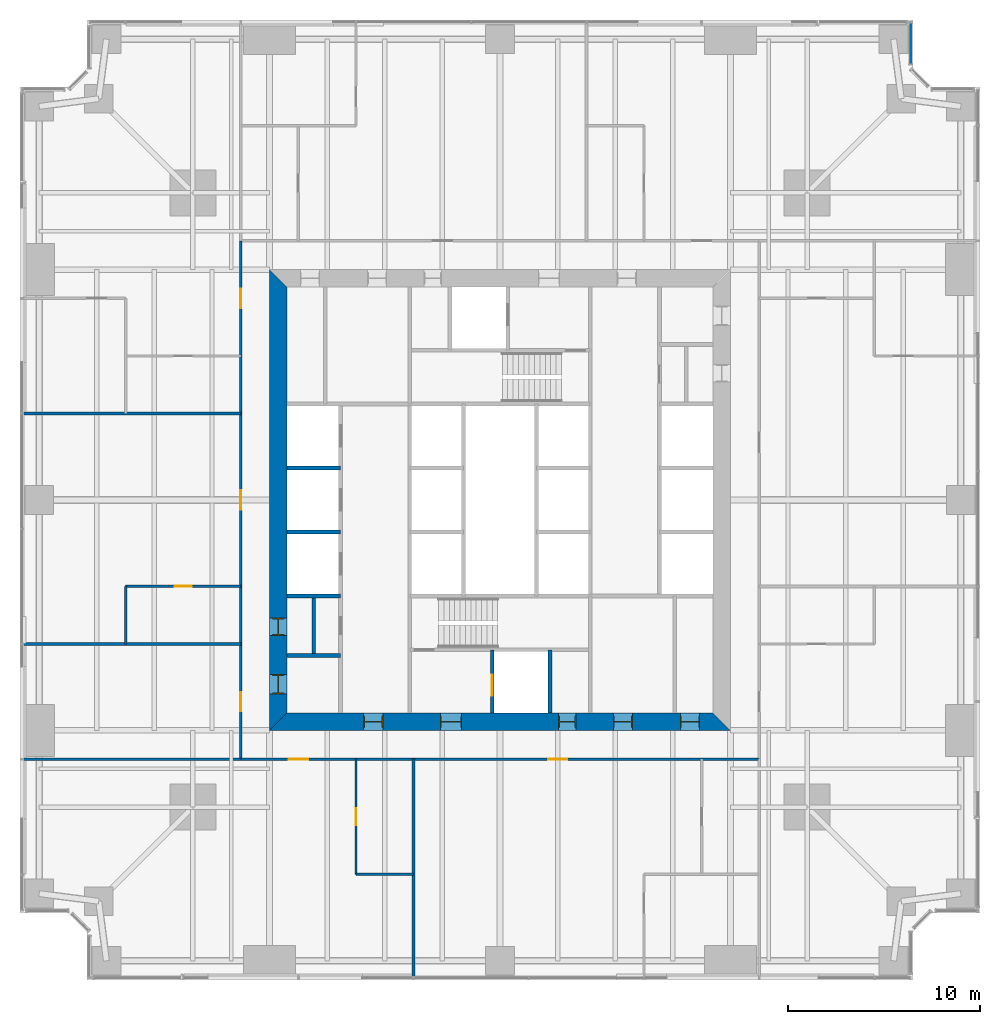
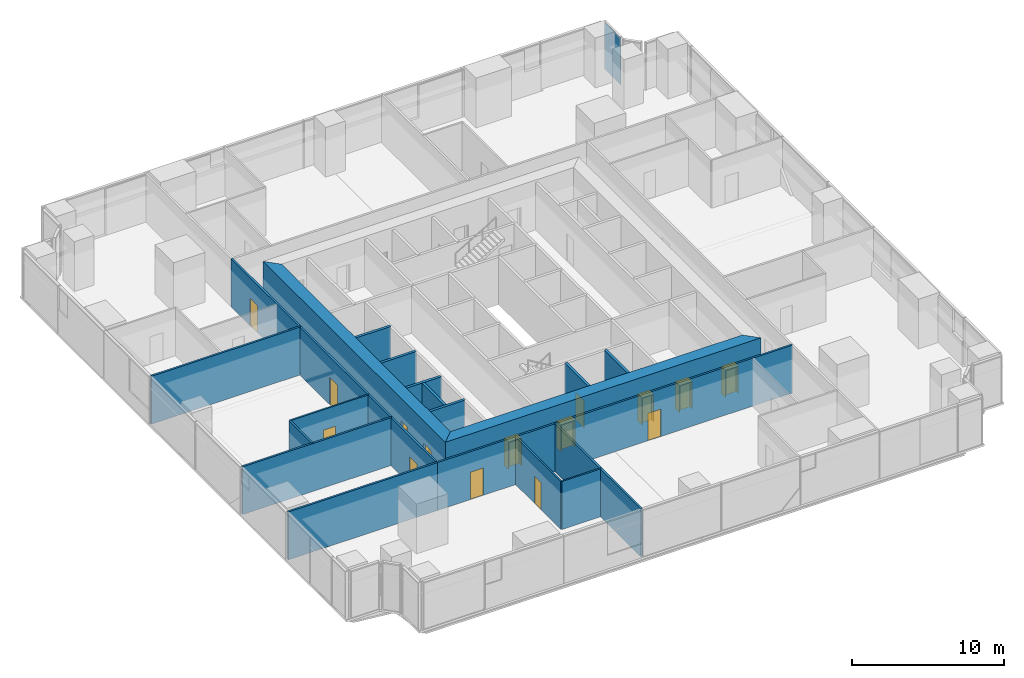
# One storey, part 9 of 15: 19 walls, 15 doors, 1 plate, 15 openings, 1 element without a shape of its own.
"""IFC4 building model written with IfcOpenShell, lengths in metres."""

from ifc_helpers import new_model, si_unit, direction, frame, frame_2d, origin, origin_2d, place, context, subcontext, project, spatial, polyline, rectangle, outline, extrude, material, layer, layer_set, type_object, element, fill, aggregate, save


model = new_model("IFC4")

# Units and contexts
model_context = context("Model", 3, precision=1e-05, world=origin(), true_north=direction((0.0, 1.0)))
body_context = subcontext(model_context, "Body", "Model", "MODEL_VIEW")
ifc_project = project(units=[si_unit("LENGTHUNIT", "METRE"), si_unit("AREAUNIT", "SQUARE_METRE"), si_unit("VOLUMEUNIT", "CUBIC_METRE"), si_unit("PLANEANGLEUNIT", "RADIAN"), si_unit("MASSUNIT", "GRAM", prefix="KILO")], contexts=[model_context])

# Site, building, storey
site_placement = place(None, origin())
site = spatial("IfcSite", under=ifc_project, at=site_placement, CompositionType="ELEMENT")
building_placement = place(site_placement, origin())
building = spatial("IfcBuilding", under=site, at=building_placement, Name="Fenwick Lantern Interchange", CompositionType="ELEMENT")
storey_placement = place(building_placement, frame((0.0, 0.0, 51.0)))
storey = spatial("IfcBuildingStorey", under=building, at=storey_placement, Name="L11", CompositionType="ELEMENT", Elevation=51.0)

# Curtain wall, plate
ifc_material_1 = material(Name="Aluminium curtain wall frame", Category="aluminium")
curtain_wall_type = type_object("IfcCurtainWallType", Name="OFFICE CURTAIN WALL", PredefinedType="USERDEFINED", material=ifc_material_1)
curtain_wall_placement = place(storey_placement, origin())
curtain_wall = element("IfcCurtainWall", 1, at=curtain_wall_placement, inside=storey, type_object=curtain_wall_type, Name="Office curtain wall 08", ObjectType="OFFICE CURTAIN WALL", PredefinedType="USERDEFINED")
ifc_material_2 = material(Name="Vision glass, clear low-iron double glazed", Category="glass")
ifc_layer_1 = layer(ifc_material_2, 0.031982421875)
ifc_layer_set_1 = layer_set([ifc_layer_1], Name="OFFICE CURTAIN WALL PANEL 32")
plate_type = type_object("IfcPlateType", Name="OFFICE CURTAIN WALL PANEL 32", PredefinedType="CURTAIN_PANEL", material=ifc_layer_set_1)
plate_placement = place(storey_placement, frame((46.39990234375, 48.779296875, 0.0), z_axis=(0.0, 0.0, 1.0), x_axis=(0.0, 1.0, 0.0)))
plate = element("IfcPlate", 2, at=plate_placement, type_object=plate_type, Name="L11/CW/08/P00", PredefinedType="CURTAIN_PANEL", context=body_context, shape_type="SweptSolid", body=[
    extrude(rectangle(XDim=2.111328125, YDim=0.031982421875, at=origin_2d()), origin(), (0.0, 0.0, 1.0), 3.75),
])
aggregate(curtain_wall, [plate])

# Walls
ifc_material_3 = material(Name="Concrete masonry ASTM C90 Grade N", Category="masonry")
ifc_layer_2 = layer(ifc_material_3, 0.199951171875)
ifc_layer_set_2 = layer_set([ifc_layer_2], Name="Concrete masonry ASTM C90 Grade N")
wall_type_1 = type_object("IfcWallType", Name="CORE PARTITION 200", PredefinedType="PARTITIONING", material=ifc_layer_set_2)
for number, where, z_axis, x_axis, name in (
    (3, (13.89990234375, 20.0, 0.0), (0.0, 0.0, 1.0), (1.0, 0.0, 0.0), "L11/W/CORES/c2"),
    (4, (13.89990234375, 23.333251953125, 0.0), (0.0, 0.0, 1.0), (1.0, 0.0, 0.0), "L11/W/CORES/d1"),
    (5, (13.89990234375, 26.666748046875, 0.0), (0.0, 0.0, 1.0), (1.0, 0.0, 0.0), "L11/W/CORES/d2"),
):
    element("IfcWall", number, at=place(storey_placement, frame(where, z_axis=z_axis, x_axis=x_axis)), inside=storey, type_object=wall_type_1, Name=name, PredefinedType="PARTITIONING", context=body_context, shape_type="SweptSolid", body=[
        extrude(rectangle(XDim=2.800048828125, YDim=0.199951171875, at=frame_2d((1.39990234375, 0.0))), origin(), (0.0, 0.0, 1.0), 3.800048828125),
    ])

# Wall, opening, door
wall_1_placement = place(storey_placement, frame((24.60009765625, 13.89990234375, 0.0), z_axis=(0.0, 0.0, 1.0), x_axis=(0.0, 1.0, 0.0)))
wall_1 = element("IfcWall", 6, at=wall_1_placement, inside=storey, type_object=wall_type_1, Name="L11/W/CORES/h1", PredefinedType="PARTITIONING", context=body_context, shape_type="SweptSolid", body=[
    extrude(rectangle(XDim=3.300048828125, YDim=0.199951171875, at=frame_2d((1.64990234375, 0.0))), origin(), (0.0, 0.0, 1.0), 3.800048828125),
])
opening_1_placement = place(wall_1_placement, frame((0.89990234375, 0.0, 0.0)))
opening_1 = element("IfcOpeningElement", 7, at=opening_1_placement, cuts=wall_1, Name="Opening LD-FL1", PredefinedType="OPENING", context=body_context, shape_type="SweptSolid", body=[
    extrude(rectangle(XDim=1.10009765625, YDim=2.199951171875, at=frame_2d((0.550048828125, 1.10009765625))), frame((0.0, 0.10986328125, 0.0), z_axis=(0.0, -1.0, 0.0), x_axis=(1.0, 0.0, 0.0)), (0.0, 0.0, 1.0), 0.219970703125),
])
ifc_material_4 = material(Name="Steel door and frame", Category="steel")
door_type_1 = type_object("IfcDoorType", Name="LIFT LANDING DOOR 1100 X 2200", OperationType="DOUBLE_DOOR_SLIDING", PredefinedType="DOOR", material=ifc_material_4)
door_1_placement = place(opening_1_placement, origin())
door_1 = element("IfcDoor", 8, at=door_1_placement, inside=storey, type_object=door_type_1, Name="Lift landing door FL1", OperationType="DOUBLE_DOOR_SLIDING", OverallHeight=2.199951171875, OverallWidth=1.10009765625, PredefinedType="DOOR", context=body_context, shape_type="SweptSolid", body=[
    extrude(rectangle(XDim=1.10009765625, YDim=2.199951171875, at=frame_2d((0.550048828125, 1.10009765625))), frame((0.0, 0.02490234375, 0.0), z_axis=(0.0, -1.0, 0.0), x_axis=(1.0, 0.0, 0.0)), (0.0, 0.0, 1.0), 0.050048828125),
])
fill(opening_1, door_1)

# Walls
wall_2_placement = place(storey_placement, frame((27.60009765625, 13.89990234375, 0.0), z_axis=(0.0, 0.0, 1.0), x_axis=(0.0, 1.0, 0.0)))
element("IfcWall", 9, at=wall_2_placement, inside=storey, type_object=wall_type_1, Name="L11/W/CORES/h2", PredefinedType="PARTITIONING", context=body_context, shape_type="SweptSolid", body=[
    extrude(rectangle(XDim=3.300048828125, YDim=0.199951171875, at=frame_2d((1.64990234375, 0.0))), origin(), (0.0, 0.0, 1.0), 3.800048828125),
])
wall_3_placement = place(storey_placement, frame((13.89990234375, 16.89990234375, 0.0), z_axis=(0.0, 0.0, 1.0), x_axis=(1.0, 0.0, 0.0)))
element("IfcWall", 10, at=wall_3_placement, inside=storey, type_object=wall_type_1, Name="L11/W/CORES/p1", PredefinedType="PARTITIONING", context=body_context, shape_type="SweptSolid", body=[
    extrude(rectangle(XDim=2.800048828125, YDim=0.199951171875, at=frame_2d((1.39990234375, 0.0))), origin(), (0.0, 0.0, 1.0), 3.800048828125),
])
wall_4_placement = place(storey_placement, frame((15.300048828125, 16.89990234375, 0.0), z_axis=(0.0, 0.0, 1.0), x_axis=(0.0, 1.0, 0.0)))
element("IfcWall", 11, at=wall_4_placement, inside=storey, type_object=wall_type_1, Name="L11/W/CORES/px", PredefinedType="PARTITIONING", context=body_context, shape_type="SweptSolid", body=[
    extrude(rectangle(XDim=3.10009765625, YDim=0.199951171875, at=frame_2d((1.550048828125, 0.0))), origin(), (0.0, 0.0, 1.0), 3.800048828125),
])

# Wall, openings, doors
ifc_material_5 = material(Name="Concrete f'c 70 MPa", Category="concrete")
ifc_layer_3 = layer(ifc_material_5, 0.89990234375)
ifc_layer_set_3 = layer_set([ifc_layer_3], Name="CORE WALL 900")
wall_type_2 = type_object("IfcWallType", Name="CORE WALL 900", PredefinedType="SHEAR", material=ifc_layer_set_3)
wall_5_placement = place(storey_placement, frame((13.0, 13.449951171875, 0.0), z_axis=(0.0, 0.0, 1.0), x_axis=(1.0, 0.0, 0.0)))
wall_5 = element("IfcWall", 12, at=wall_5_placement, inside=storey, type_object=wall_type_2, Name="L11/CORE/S", PredefinedType="SHEAR", context=body_context, shape_type="SweptSolid", body=[
    extrude(outline(polyline([(0.0, -0.449951171875), (24.0, -0.449951171875), (23.10009765625, 0.449951171875), (0.89990234375, 0.449951171875), (0.0, -0.449951171875)])), origin(), (0.0, 0.0, 1.0), 4.0),
])
opening_2_placement = place(wall_5_placement, frame((4.89990234375, 0.0, 0.0)))
opening_2 = element("IfcOpeningElement", 13, at=opening_2_placement, cuts=wall_5, Name="Opening L11-D001", PredefinedType="OPENING", context=body_context, shape_type="SweptSolid", body=[
    extrude(rectangle(XDim=1.0, YDim=2.199951171875, at=frame_2d((0.5, 1.10009765625))), frame((0.0, 0.4599609375, 0.0), z_axis=(0.0, -1.0, 0.0), x_axis=(1.0, 0.0, 0.0)), (0.0, 0.0, 1.0), 0.919921875),
])
opening_3_placement = place(wall_5_placement, frame((8.89990234375, 0.0, 0.0)))
opening_3 = element("IfcOpeningElement", 14, at=opening_3_placement, cuts=wall_5, Name="Opening L11-D002", PredefinedType="OPENING", context=body_context, shape_type="SweptSolid", body=[
    extrude(rectangle(XDim=1.10009765625, YDim=2.199951171875, at=frame_2d((0.550048828125, 1.10009765625))), frame((0.0, 0.4599609375, 0.0), z_axis=(0.0, -1.0, 0.0), x_axis=(1.0, 0.0, 0.0)), (0.0, 0.0, 1.0), 0.919921875),
])
opening_4_placement = place(wall_5_placement, frame((15.050048828125, 0.0, 0.0)))
opening_4 = element("IfcOpeningElement", 15, at=opening_4_placement, cuts=wall_5, Name="Opening L11-D004", PredefinedType="OPENING", context=body_context, shape_type="SweptSolid", body=[
    extrude(rectangle(XDim=0.89990234375, YDim=2.199951171875, at=frame_2d((0.449951171875, 1.10009765625))), frame((0.0, 0.4599609375, 0.0), z_axis=(0.0, -1.0, 0.0), x_axis=(1.0, 0.0, 0.0)), (0.0, 0.0, 1.0), 0.919921875),
])
opening_5_placement = place(wall_5_placement, frame((17.89990234375, 0.0, 0.0)))
opening_5 = element("IfcOpeningElement", 16, at=opening_5_placement, cuts=wall_5, Name="Opening L11-D005", PredefinedType="OPENING", context=body_context, shape_type="SweptSolid", body=[
    extrude(rectangle(XDim=1.0, YDim=2.199951171875, at=frame_2d((0.5, 1.10009765625))), frame((0.0, 0.4599609375, 0.0), z_axis=(0.0, -1.0, 0.0), x_axis=(1.0, 0.0, 0.0)), (0.0, 0.0, 1.0), 0.919921875),
])
opening_6_placement = place(wall_5_placement, frame((21.39990234375, 0.0, 0.0)))
opening_6 = element("IfcOpeningElement", 17, at=opening_6_placement, cuts=wall_5, Name="Opening L11-D006", PredefinedType="OPENING", context=body_context, shape_type="SweptSolid", body=[
    extrude(rectangle(XDim=1.0, YDim=2.199951171875, at=frame_2d((0.5, 1.10009765625))), frame((0.0, 0.4599609375, 0.0), z_axis=(0.0, -1.0, 0.0), x_axis=(1.0, 0.0, 0.0)), (0.0, 0.0, 1.0), 0.919921875),
])
door_type_2 = type_object("IfcDoorType", Name="CORE LOBBY DOOR 1000 X 2200", OperationType="SINGLE_SWING_LEFT", PredefinedType="DOOR", material=ifc_material_4)
door_2_placement = place(opening_2_placement, origin())
door_2 = element("IfcDoor", 18, at=door_2_placement, inside=storey, type_object=door_type_2, Name="Core lobby door", OperationType="SINGLE_SWING_LEFT", OverallHeight=2.199951171875, OverallWidth=1.0, PredefinedType="DOOR", context=body_context, shape_type="SweptSolid", body=[
    extrude(rectangle(XDim=1.0, YDim=2.199951171875, at=frame_2d((0.5, 1.10009765625))), frame((0.0, 0.02490234375, 0.0), z_axis=(0.0, -1.0, 0.0), x_axis=(1.0, 0.0, 0.0)), (0.0, 0.0, 1.0), 0.050048828125),
    extrude(outline(polyline([(0.0, 0.0), (0.0400390625, 0.0), (0.0400390625, 2.159912109375), (0.9599609375, 2.159912109375), (0.9599609375, 0.0), (1.0, 0.0), (1.0, 2.199951171875), (0.0, 2.199951171875), (0.0, 0.0)])), frame((0.0, 0.300048828125, 0.0), z_axis=(0.0, -1.0, 0.0), x_axis=(1.0, 0.0, 0.0)), (0.0, 0.0, 1.0), 0.60009765625),
])
fill(opening_2, door_2)
door_type_3 = type_object("IfcDoorType", Name="FIRE LOBBY DOOR 1100 X 2200", OperationType="SINGLE_SWING_LEFT", PredefinedType="DOOR", material=ifc_material_4)
door_3_placement = place(opening_3_placement, origin())
door_3 = element("IfcDoor", 19, at=door_3_placement, inside=storey, type_object=door_type_3, Name="Fire lobby door", OperationType="SINGLE_SWING_LEFT", OverallHeight=2.199951171875, OverallWidth=1.10009765625, PredefinedType="DOOR", context=body_context, shape_type="SweptSolid", body=[
    extrude(rectangle(XDim=1.10009765625, YDim=2.199951171875, at=frame_2d((0.550048828125, 1.10009765625))), frame((0.0, 0.02490234375, 0.0), z_axis=(0.0, -1.0, 0.0), x_axis=(1.0, 0.0, 0.0)), (0.0, 0.0, 1.0), 0.050048828125),
    extrude(outline(polyline([(0.0, 0.0), (0.0400390625, 0.0), (0.0400390625, 2.159912109375), (1.06005859375, 2.159912109375), (1.06005859375, 0.0), (1.10009765625, 0.0), (1.10009765625, 2.199951171875), (0.0, 2.199951171875), (0.0, 0.0)])), frame((0.0, 0.300048828125, 0.0), z_axis=(0.0, -1.0, 0.0), x_axis=(1.0, 0.0, 0.0)), (0.0, 0.0, 1.0), 0.60009765625),
])
fill(opening_3, door_3)
door_type_4 = type_object("IfcDoorType", Name="SERVICE DOOR 900 X 2200", OperationType="SINGLE_SWING_LEFT", PredefinedType="DOOR", material=ifc_material_4)
door_4_placement = place(opening_4_placement, origin())
door_4 = element("IfcDoor", 20, at=door_4_placement, inside=storey, type_object=door_type_4, Name="Service door", OperationType="SINGLE_SWING_LEFT", OverallHeight=2.199951171875, OverallWidth=0.89990234375, PredefinedType="DOOR", context=body_context, shape_type="SweptSolid", body=[
    extrude(rectangle(XDim=0.89990234375, YDim=2.199951171875, at=frame_2d((0.449951171875, 1.10009765625))), frame((0.0, 0.02490234375, 0.0), z_axis=(0.0, -1.0, 0.0), x_axis=(1.0, 0.0, 0.0)), (0.0, 0.0, 1.0), 0.050048828125),
    extrude(outline(polyline([(0.0, 0.0), (0.0400390625, 0.0), (0.0400390625, 2.159912109375), (0.85986328125, 2.159912109375), (0.85986328125, 0.0), (0.89990234375, 0.0), (0.89990234375, 2.199951171875), (0.0, 2.199951171875), (0.0, 0.0)])), frame((0.0, 0.300048828125, 0.0), z_axis=(0.0, -1.0, 0.0), x_axis=(1.0, 0.0, 0.0)), (0.0, 0.0, 1.0), 0.60009765625),
])
fill(opening_4, door_4)
ifc_material_6 = material(Name="Hardwood door and steel frame", Category="steel")
door_type_5 = type_object("IfcDoorType", Name="WC DOOR 1000 X 2200", OperationType="SINGLE_SWING_LEFT", PredefinedType="DOOR", material=ifc_material_6)
door_5_placement = place(opening_5_placement, origin())
door_5 = element("IfcDoor", 21, at=door_5_placement, inside=storey, type_object=door_type_5, Name="Wc door", OperationType="SINGLE_SWING_LEFT", OverallHeight=2.199951171875, OverallWidth=1.0, PredefinedType="DOOR", context=body_context, shape_type="SweptSolid", body=[
    extrude(rectangle(XDim=1.0, YDim=2.199951171875, at=frame_2d((0.5, 1.10009765625))), frame((0.0, 0.02490234375, 0.0), z_axis=(0.0, -1.0, 0.0), x_axis=(1.0, 0.0, 0.0)), (0.0, 0.0, 1.0), 0.050048828125),
    extrude(outline(polyline([(0.0, 0.0), (0.0400390625, 0.0), (0.0400390625, 2.159912109375), (0.9599609375, 2.159912109375), (0.9599609375, 0.0), (1.0, 0.0), (1.0, 2.199951171875), (0.0, 2.199951171875), (0.0, 0.0)])), frame((0.0, 0.300048828125, 0.0), z_axis=(0.0, -1.0, 0.0), x_axis=(1.0, 0.0, 0.0)), (0.0, 0.0, 1.0), 0.60009765625),
])
fill(opening_5, door_5)
door_6_placement = place(opening_6_placement, origin())
door_6 = element("IfcDoor", 22, at=door_6_placement, inside=storey, type_object=door_type_5, Name="Wc door", OperationType="SINGLE_SWING_LEFT", OverallHeight=2.199951171875, OverallWidth=1.0, PredefinedType="DOOR", context=body_context, shape_type="SweptSolid", body=[
    extrude(rectangle(XDim=1.0, YDim=2.199951171875, at=frame_2d((0.5, 1.10009765625))), frame((0.0, 0.02490234375, 0.0), z_axis=(0.0, -1.0, 0.0), x_axis=(1.0, 0.0, 0.0)), (0.0, 0.0, 1.0), 0.050048828125),
    extrude(outline(polyline([(0.0, 0.0), (0.0400390625, 0.0), (0.0400390625, 2.159912109375), (0.9599609375, 2.159912109375), (0.9599609375, 0.0), (1.0, 0.0), (1.0, 2.199951171875), (0.0, 2.199951171875), (0.0, 0.0)])), frame((0.0, 0.300048828125, 0.0), z_axis=(0.0, -1.0, 0.0), x_axis=(1.0, 0.0, 0.0)), (0.0, 0.0, 1.0), 0.60009765625),
])
fill(opening_6, door_6)

wall_6_placement = place(storey_placement, frame((13.449951171875, 36.10009765625, 0.0), z_axis=(0.0, 0.0, 1.0), x_axis=(0.0, -1.0, 0.0)))
wall_6 = element("IfcWall", 23, at=wall_6_placement, inside=storey, type_object=wall_type_2, Name="L11/CORE/W", PredefinedType="SHEAR", context=body_context, shape_type="SweptSolid", body=[
    extrude(outline(polyline([(-0.89990234375, -0.449951171875), (23.10009765625, -0.449951171875), (22.199951171875, 0.449951171875), (0.0, 0.449951171875), (-0.89990234375, -0.449951171875)])), origin(), (0.0, 0.0, 1.0), 4.0),
])
opening_7_placement = place(wall_6_placement, frame((20.199951171875, 0.0, 0.0)))
opening_7 = element("IfcOpeningElement", 24, at=opening_7_placement, cuts=wall_6, Name="Opening L11-D007", PredefinedType="OPENING", context=body_context, shape_type="SweptSolid", body=[
    extrude(rectangle(XDim=1.0, YDim=2.199951171875, at=frame_2d((0.5, 1.10009765625))), frame((0.0, 0.4599609375, 0.0), z_axis=(0.0, -1.0, 0.0), x_axis=(1.0, 0.0, 0.0)), (0.0, 0.0, 1.0), 0.919921875),
])
opening_8_placement = place(wall_6_placement, frame((17.25, 0.0, 0.0)))
opening_8 = element("IfcOpeningElement", 25, at=opening_8_placement, cuts=wall_6, Name="Opening L11-D009", PredefinedType="OPENING", context=body_context, shape_type="SweptSolid", body=[
    extrude(rectangle(XDim=0.89990234375, YDim=2.199951171875, at=frame_2d((0.449951171875, 1.10009765625))), frame((0.0, 0.4599609375, 0.0), z_axis=(0.0, -1.0, 0.0), x_axis=(1.0, 0.0, 0.0)), (0.0, 0.0, 1.0), 0.919921875),
])
door_7_placement = place(opening_8_placement, origin())
door_7 = element("IfcDoor", 26, at=door_7_placement, inside=storey, type_object=door_type_4, Name="Service door", OperationType="SINGLE_SWING_RIGHT", OverallHeight=2.199951171875, OverallWidth=0.89990234375, PredefinedType="DOOR", context=body_context, shape_type="SweptSolid", body=[
    extrude(rectangle(XDim=0.89990234375, YDim=2.199951171875, at=frame_2d((0.449951171875, 1.10009765625))), frame((0.0, 0.02490234375, 0.0), z_axis=(0.0, -1.0, 0.0), x_axis=(1.0, 0.0, 0.0)), (0.0, 0.0, 1.0), 0.050048828125),
    extrude(outline(polyline([(0.0, 0.0), (0.0400390625, 0.0), (0.0400390625, 2.159912109375), (0.85986328125, 2.159912109375), (0.85986328125, 0.0), (0.89990234375, 0.0), (0.89990234375, 2.199951171875), (0.0, 2.199951171875), (0.0, 0.0)])), frame((0.0, 0.300048828125, 0.0), z_axis=(0.0, -1.0, 0.0), x_axis=(1.0, 0.0, 0.0)), (0.0, 0.0, 1.0), 0.60009765625),
])
fill(opening_8, door_7)
door_8_placement = place(opening_7_placement, origin())
door_8 = element("IfcDoor", 27, at=door_8_placement, inside=storey, type_object=door_type_5, Name="Wc door", OperationType="SINGLE_SWING_LEFT", OverallHeight=2.199951171875, OverallWidth=1.0, PredefinedType="DOOR", context=body_context, shape_type="SweptSolid", body=[
    extrude(rectangle(XDim=1.0, YDim=2.199951171875, at=frame_2d((0.5, 1.10009765625))), frame((0.0, 0.02490234375, 0.0), z_axis=(0.0, -1.0, 0.0), x_axis=(1.0, 0.0, 0.0)), (0.0, 0.0, 1.0), 0.050048828125),
    extrude(outline(polyline([(0.0, 0.0), (0.0400390625, 0.0), (0.0400390625, 2.159912109375), (0.9599609375, 2.159912109375), (0.9599609375, 0.0), (1.0, 0.0), (1.0, 2.199951171875), (0.0, 2.199951171875), (0.0, 0.0)])), frame((0.0, 0.300048828125, 0.0), z_axis=(0.0, -1.0, 0.0), x_axis=(1.0, 0.0, 0.0)), (0.0, 0.0, 1.0), 0.60009765625),
])
fill(opening_7, door_8)

ifc_material_7 = material(Name="Gypsum board on steel studs, 1 hour", Category="steel")
ifc_layer_4 = layer(ifc_material_7, 0.14990234375)
ifc_layer_set_4 = layer_set([ifc_layer_4], Name="CORRIDOR WALL 150")
wall_type_3 = type_object("IfcWallType", Name="CORRIDOR WALL 150", PredefinedType="PARTITIONING", material=ifc_layer_set_4)
wall_7_placement = place(storey_placement, frame((11.5, 11.5, 0.0), z_axis=(0.0, 0.0, 1.0), x_axis=(1.0, 0.0, 0.0)))
wall_7 = element("IfcWall", 28, at=wall_7_placement, inside=storey, type_object=wall_type_3, Name="L11/W/OFF/S/CW", PredefinedType="PARTITIONING", context=body_context, shape_type="SweptSolid", body=[
    extrude(rectangle(XDim=27.0, YDim=0.14990234375, at=frame_2d((13.5, 0.0))), origin(), (0.0, 0.0, 1.0), 3.85009765625),
])
opening_9_placement = place(wall_7_placement, frame((2.5, 0.0, 0.0)))
opening_9 = element("IfcOpeningElement", 29, at=opening_9_placement, cuts=wall_7, Name="Opening L11-D019", PredefinedType="OPENING", context=body_context, shape_type="SweptSolid", body=[
    extrude(rectangle(XDim=1.0, YDim=2.199951171875, at=frame_2d((0.5, 1.10009765625))), frame((0.0, 0.0849609375, 0.0), z_axis=(0.0, -1.0, 0.0), x_axis=(1.0, 0.0, 0.0)), (0.0, 0.0, 1.0), 0.169921875),
])
opening_10_placement = place(wall_7_placement, frame((16.0, 0.0, 0.0)))
opening_10 = element("IfcOpeningElement", 30, at=opening_10_placement, cuts=wall_7, Name="Opening L11-D021", PredefinedType="OPENING", context=body_context, shape_type="SweptSolid", body=[
    extrude(rectangle(XDim=1.0, YDim=2.199951171875, at=frame_2d((0.5, 1.10009765625))), frame((0.0, 0.0849609375, 0.0), z_axis=(0.0, -1.0, 0.0), x_axis=(1.0, 0.0, 0.0)), (0.0, 0.0, 1.0), 0.169921875),
])
door_type_6 = type_object("IfcDoorType", Name="SUITE ENTRANCE DOOR 1000 X 2200", OperationType="SINGLE_SWING_LEFT", PredefinedType="DOOR", material=ifc_material_4)
door_9_placement = place(opening_9_placement, frame((1.0, 0.0, 0.0), z_axis=(0.0, 0.0, 1.0), x_axis=(-1.0, 0.0, 0.0)))
door_9 = element("IfcDoor", 31, at=door_9_placement, inside=storey, type_object=door_type_6, Name="Suite entrance door", OperationType="SINGLE_SWING_LEFT", OverallHeight=2.199951171875, OverallWidth=1.0, PredefinedType="DOOR", context=body_context, shape_type="SweptSolid", body=[
    extrude(rectangle(XDim=1.0, YDim=2.199951171875, at=frame_2d((0.5, 1.10009765625))), frame((0.0, 0.02490234375, 0.0), z_axis=(0.0, -1.0, 0.0), x_axis=(1.0, 0.0, 0.0)), (0.0, 0.0, 1.0), 0.050048828125),
])
fill(opening_9, door_9)
door_10_placement = place(opening_10_placement, frame((1.0, 0.0, 0.0), z_axis=(0.0, 0.0, 1.0), x_axis=(-1.0, 0.0, 0.0)))
door_10 = element("IfcDoor", 32, at=door_10_placement, inside=storey, type_object=door_type_6, Name="Suite entrance door", OperationType="SINGLE_SWING_RIGHT", OverallHeight=2.199951171875, OverallWidth=1.0, PredefinedType="DOOR", context=body_context, shape_type="SweptSolid", body=[
    extrude(rectangle(XDim=1.0, YDim=2.199951171875, at=frame_2d((0.5, 1.10009765625))), frame((0.0, 0.02490234375, 0.0), z_axis=(0.0, -1.0, 0.0), x_axis=(1.0, 0.0, 0.0)), (0.0, 0.0, 1.0), 0.050048828125),
])
fill(opening_10, door_10)

wall_8_placement = place(storey_placement, frame((11.5, 38.5, 0.0), z_axis=(0.0, 0.0, 1.0), x_axis=(0.0, -1.0, 0.0)))
wall_8 = element("IfcWall", 33, at=wall_8_placement, inside=storey, type_object=wall_type_3, Name="L11/W/OFF/W/CW", PredefinedType="PARTITIONING", context=body_context, shape_type="SweptSolid", body=[
    extrude(rectangle(XDim=27.0, YDim=0.14990234375, at=frame_2d((13.5, 0.0))), origin(), (0.0, 0.0, 1.0), 3.85009765625),
])
opening_11_placement = place(wall_8_placement, frame((2.5, 0.0, 0.0)))
opening_11 = element("IfcOpeningElement", 34, at=opening_11_placement, cuts=wall_8, Name="Opening L11-D034", PredefinedType="OPENING", context=body_context, shape_type="SweptSolid", body=[
    extrude(rectangle(XDim=1.0, YDim=2.199951171875, at=frame_2d((0.5, 1.10009765625))), frame((0.0, 0.0849609375, 0.0), z_axis=(0.0, -1.0, 0.0), x_axis=(1.0, 0.0, 0.0)), (0.0, 0.0, 1.0), 0.169921875),
])
opening_12_placement = place(wall_8_placement, frame((13.0, 0.0, 0.0)))
opening_12 = element("IfcOpeningElement", 35, at=opening_12_placement, cuts=wall_8, Name="Opening L11-D037", PredefinedType="OPENING", context=body_context, shape_type="SweptSolid", body=[
    extrude(rectangle(XDim=1.0, YDim=2.199951171875, at=frame_2d((0.5, 1.10009765625))), frame((0.0, 0.0849609375, 0.0), z_axis=(0.0, -1.0, 0.0), x_axis=(1.0, 0.0, 0.0)), (0.0, 0.0, 1.0), 0.169921875),
])
opening_13_placement = place(wall_8_placement, frame((23.5, 0.0, 0.0)))
opening_13 = element("IfcOpeningElement", 36, at=opening_13_placement, cuts=wall_8, Name="Opening L11-D039", PredefinedType="OPENING", context=body_context, shape_type="SweptSolid", body=[
    extrude(rectangle(XDim=1.0, YDim=2.199951171875, at=frame_2d((0.5, 1.10009765625))), frame((0.0, 0.0849609375, 0.0), z_axis=(0.0, -1.0, 0.0), x_axis=(1.0, 0.0, 0.0)), (0.0, 0.0, 1.0), 0.169921875),
])
door_11_placement = place(opening_11_placement, frame((1.0, 0.0, 0.0), z_axis=(0.0, 0.0, 1.0), x_axis=(-1.0, 0.0, 0.0)))
door_11 = element("IfcDoor", 37, at=door_11_placement, inside=storey, type_object=door_type_6, Name="Suite entrance door", OperationType="SINGLE_SWING_LEFT", OverallHeight=2.199951171875, OverallWidth=1.0, PredefinedType="DOOR", context=body_context, shape_type="SweptSolid", body=[
    extrude(rectangle(XDim=1.0, YDim=2.199951171875, at=frame_2d((0.5, 1.10009765625))), frame((0.0, 0.02490234375, 0.0), z_axis=(0.0, -1.0, 0.0), x_axis=(1.0, 0.0, 0.0)), (0.0, 0.0, 1.0), 0.050048828125),
])
fill(opening_11, door_11)
door_12_placement = place(opening_12_placement, frame((1.0, 0.0, 0.0), z_axis=(0.0, 0.0, 1.0), x_axis=(-1.0, 0.0, 0.0)))
door_12 = element("IfcDoor", 38, at=door_12_placement, inside=storey, type_object=door_type_6, Name="Suite entrance door", OperationType="SINGLE_SWING_RIGHT", OverallHeight=2.199951171875, OverallWidth=1.0, PredefinedType="DOOR", context=body_context, shape_type="SweptSolid", body=[
    extrude(rectangle(XDim=1.0, YDim=2.199951171875, at=frame_2d((0.5, 1.10009765625))), frame((0.0, 0.02490234375, 0.0), z_axis=(0.0, -1.0, 0.0), x_axis=(1.0, 0.0, 0.0)), (0.0, 0.0, 1.0), 0.050048828125),
])
fill(opening_12, door_12)
door_13_placement = place(opening_13_placement, frame((1.0, 0.0, 0.0), z_axis=(0.0, 0.0, 1.0), x_axis=(-1.0, 0.0, 0.0)))
door_13 = element("IfcDoor", 39, at=door_13_placement, inside=storey, type_object=door_type_6, Name="Suite entrance door", OperationType="SINGLE_SWING_RIGHT", OverallHeight=2.199951171875, OverallWidth=1.0, PredefinedType="DOOR", context=body_context, shape_type="SweptSolid", body=[
    extrude(rectangle(XDim=1.0, YDim=2.199951171875, at=frame_2d((0.5, 1.10009765625))), frame((0.0, 0.02490234375, 0.0), z_axis=(0.0, -1.0, 0.0), x_axis=(1.0, 0.0, 0.0)), (0.0, 0.0, 1.0), 0.050048828125),
])
fill(opening_13, door_13)

# Wall, opening, door
ifc_material_8 = material(Name="Gypsum board on steel studs, acoustic", Category="steel")
ifc_layer_5 = layer(ifc_material_8, 0.125)
ifc_layer_set_5 = layer_set([ifc_layer_5], Name="OFFICE PARTITION 125")
wall_type_4 = type_object("IfcWallType", Name="OFFICE PARTITION 125", PredefinedType="PARTITIONING", material=ifc_layer_set_5)
wall_9_placement = place(storey_placement, frame((17.5, 5.5, 0.0), z_axis=(0.0, 0.0, 1.0), x_axis=(0.0, 1.0, 0.0)))
wall_9 = element("IfcWall", 40, at=wall_9_placement, inside=storey, type_object=wall_type_4, Name="L11/W/OFF/S/X175-1", PredefinedType="PARTITIONING", context=body_context, shape_type="SweptSolid", body=[
    extrude(rectangle(XDim=6.0, YDim=0.125, at=frame_2d((3.0, 0.0))), origin(), (0.0, 0.0, 1.0), 3.85009765625),
])
opening_14_placement = place(wall_9_placement, frame((2.550048828125, 0.0, 0.0)))
opening_14 = element("IfcOpeningElement", 41, at=opening_14_placement, cuts=wall_9, Name="Opening L11-D020", PredefinedType="OPENING", context=body_context, shape_type="SweptSolid", body=[
    extrude(rectangle(XDim=0.89990234375, YDim=2.199951171875, at=frame_2d((0.449951171875, 1.10009765625))), frame((0.0, 0.072509765625, 0.0), z_axis=(0.0, -1.0, 0.0), x_axis=(1.0, 0.0, 0.0)), (0.0, 0.0, 1.0), 0.14501953125),
])
door_type_7 = type_object("IfcDoorType", Name="OFFICE DOOR 900 X 2200", OperationType="SINGLE_SWING_LEFT", PredefinedType="DOOR", material=ifc_material_6)
door_14_placement = place(opening_14_placement, frame((0.89990234375, 0.0, 0.0), z_axis=(0.0, 0.0, 1.0), x_axis=(-1.0, 0.0, 0.0)))
door_14 = element("IfcDoor", 42, at=door_14_placement, inside=storey, type_object=door_type_7, Name="Office door", OperationType="SINGLE_SWING_RIGHT", OverallHeight=2.199951171875, OverallWidth=0.89990234375, PredefinedType="DOOR", context=body_context, shape_type="SweptSolid", body=[
    extrude(rectangle(XDim=0.89990234375, YDim=2.199951171875, at=frame_2d((0.449951171875, 1.10009765625))), frame((0.0, 0.02490234375, 0.0), z_axis=(0.0, -1.0, 0.0), x_axis=(1.0, 0.0, 0.0)), (0.0, 0.0, 1.0), 0.050048828125),
])
fill(opening_14, door_14)

# Wall
wall_10_placement = place(storey_placement, frame((17.5, 5.5, 0.0), z_axis=(0.0, 0.0, 1.0), x_axis=(1.0, 0.0, 0.0)))
element("IfcWall", 43, at=wall_10_placement, inside=storey, type_object=wall_type_4, Name="L11/W/OFF/S/Y55-1", PredefinedType="PARTITIONING", context=body_context, shape_type="SweptSolid", body=[
    extrude(rectangle(XDim=3.0, YDim=0.125, at=frame_2d((1.5, 0.0))), origin(), (0.0, 0.0, 1.0), 3.85009765625),
])

# Wall, opening, door
wall_11_placement = place(storey_placement, frame((5.5, 20.5, 0.0), z_axis=(0.0, 0.0, 1.0), x_axis=(1.0, 0.0, 0.0)))
wall_11 = element("IfcWall", 44, at=wall_11_placement, inside=storey, type_object=wall_type_4, Name="L11/W/OFF/W/X295-1", PredefinedType="PARTITIONING", context=body_context, shape_type="SweptSolid", body=[
    extrude(rectangle(XDim=6.0, YDim=0.125, at=frame_2d((3.0, 0.0))), origin(), (0.0, 0.0, 1.0), 3.85009765625),
])
opening_15_placement = place(wall_11_placement, frame((2.550048828125, 0.0, 0.0)))
opening_15 = element("IfcOpeningElement", 45, at=opening_15_placement, cuts=wall_11, Name="Opening L11-D038", PredefinedType="OPENING", context=body_context, shape_type="SweptSolid", body=[
    extrude(rectangle(XDim=0.89990234375, YDim=2.199951171875, at=frame_2d((0.449951171875, 1.10009765625))), frame((0.0, 0.072509765625, 0.0), z_axis=(0.0, -1.0, 0.0), x_axis=(1.0, 0.0, 0.0)), (0.0, 0.0, 1.0), 0.14501953125),
])
door_15_placement = place(opening_15_placement, frame((0.89990234375, 0.0, 0.0), z_axis=(0.0, 0.0, 1.0), x_axis=(-1.0, 0.0, 0.0)))
door_15 = element("IfcDoor", 46, at=door_15_placement, inside=storey, type_object=door_type_7, Name="Office door", OperationType="SINGLE_SWING_RIGHT", OverallHeight=2.199951171875, OverallWidth=0.89990234375, PredefinedType="DOOR", context=body_context, shape_type="SweptSolid", body=[
    extrude(rectangle(XDim=0.89990234375, YDim=2.199951171875, at=frame_2d((0.449951171875, 1.10009765625))), frame((0.0, 0.02490234375, 0.0), z_axis=(0.0, -1.0, 0.0), x_axis=(1.0, 0.0, 0.0)), (0.0, 0.0, 1.0), 0.050048828125),
])
fill(opening_15, door_15)

# Walls
wall_12_placement = place(storey_placement, frame((5.5, 20.5, 0.0), z_axis=(0.0, 0.0, 1.0), x_axis=(0.0, -1.0, 0.0)))
element("IfcWall", 47, at=wall_12_placement, inside=storey, type_object=wall_type_4, Name="L11/W/OFF/W/Y55-2", PredefinedType="PARTITIONING", context=body_context, shape_type="SweptSolid", body=[
    extrude(rectangle(XDim=3.0, YDim=0.125, at=frame_2d((1.5, 0.0))), origin(), (0.0, 0.0, 1.0), 3.85009765625),
])
ifc_material_9 = material(Name="Gypsum board on steel studs, 1 hour acoustic", Category="steel")
ifc_layer_6 = layer(ifc_material_9, 0.14990234375)
ifc_layer_set_6 = layer_set([ifc_layer_6], Name="TENANT WALL 150")
wall_type_5 = type_object("IfcWallType", Name="TENANT WALL 150", PredefinedType="PARTITIONING", material=ifc_layer_set_6)
for number, where, z_axis, x_axis, name in (
    (48, (0.14990234375, 11.5, 0.0), (0.0, 0.0, 1.0), (1.0, 0.0, 0.0), "L11/W/OFF/S/BACK"),
    (49, (20.5, 0.14990234375, 0.0), (0.0, 0.0, 1.0), (0.0, 1.0, 0.0), "L11/W/OFF/S/X205-1"),
    (50, (0.14990234375, 29.5, 0.0), (0.0, 0.0, 1.0), (1.0, 0.0, 0.0), "L11/W/OFF/W/X205-1"),
    (51, (0.14990234375, 17.5, 0.0), (0.0, 0.0, 1.0), (1.0, 0.0, 0.0), "L11/W/OFF/W/X325-1"),
):
    element("IfcWall", number, at=place(storey_placement, frame(where, z_axis=z_axis, x_axis=x_axis)), inside=storey, type_object=wall_type_5, Name=name, PredefinedType="PARTITIONING", context=body_context, shape_type="SweptSolid", body=[
        extrude(rectangle(XDim=11.35009765625, YDim=0.14990234375, at=frame_2d((5.675048828125, 0.0))), origin(), (0.0, 0.0, 1.0), 3.85009765625),
    ])

save(model, "model.ifc")
